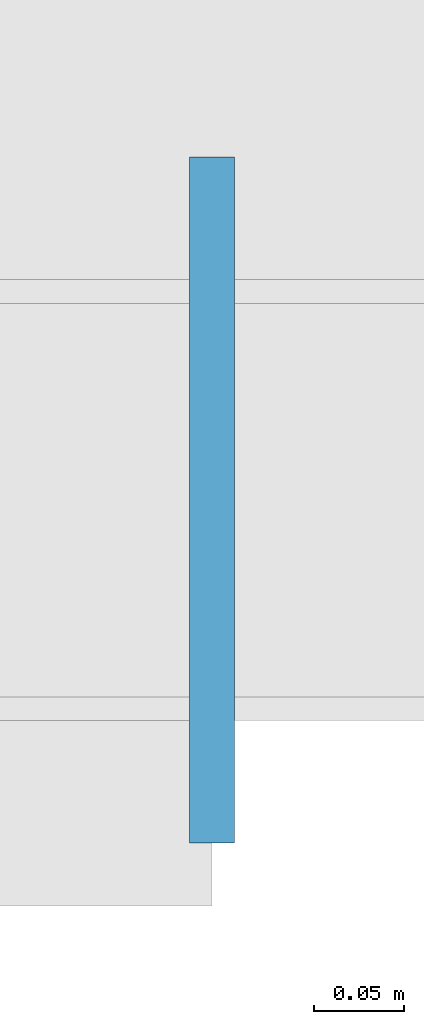
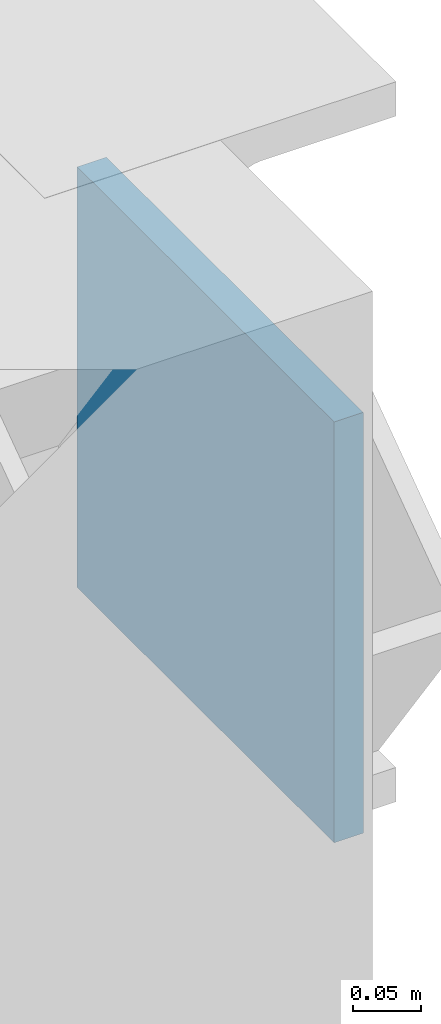
# One storey, part 62 of 80: 1 plate.
"""IFC4 building model written with IfcOpenShell, lengths in metres."""

from ifc_helpers import new_model, si_unit, direction, frame, origin, origin_2d, place, context, subcontext, project, spatial, rectangle, extrude, material, layer, layer_set, type_object, element, save


model = new_model("IFC4")

# Units and contexts
model_context = context("Model", 3, precision=1e-05, world=origin(), true_north=direction((0.0, 1.0)))
body_context = subcontext(model_context, "Body", "Model", "MODEL_VIEW")
ifc_project = project(units=[si_unit("LENGTHUNIT", "METRE"), si_unit("AREAUNIT", "SQUARE_METRE"), si_unit("VOLUMEUNIT", "CUBIC_METRE"), si_unit("PLANEANGLEUNIT", "RADIAN"), si_unit("MASSUNIT", "GRAM", prefix="KILO")], contexts=[model_context])

# Site, building, storey
site_placement = place(None, origin())
site = spatial("IfcSite", under=ifc_project, at=site_placement, CompositionType="ELEMENT")
building_placement = place(site_placement, origin())
building = spatial("IfcBuilding", under=site, at=building_placement, Name="Fikremerkos Civic Library", CompositionType="ELEMENT")
storey_placement = place(building_placement, frame((0.0, 0.0, 9.89990234375)))
storey = spatial("IfcBuildingStorey", under=building, at=storey_placement, Name="L02", CompositionType="ELEMENT", Elevation=9.89990234375)

# Plate
ifc_material = material(Name="Steel S355", Category="steel")
ifc_layer = layer(ifc_material, 0.02490234375, Name="Steel S355")
ifc_layer_set = layer_set([ifc_layer], Name="Steel S355")
plate_type = type_object("IfcPlateType", Name="Steel gusset cap plate GSP-02 380x380x25", PredefinedType="USERDEFINED", material=ifc_layer_set)
plate_placement = place(storey_placement, frame((113.699951171875, 2.39990234375, 3.645263671875), z_axis=(0.0, 0.0, 1.0), x_axis=(1.0, 0.0, 0.0)))
element("IfcPlate", 1, at=plate_placement, inside=storey, type_object=plate_type, Name="Steel gusset cap plate GSP-02 #40", ObjectType="GUSSET PLATE", PredefinedType="USERDEFINED", context=body_context, shape_type="SweptSolid", body=[
    extrude(rectangle(XDim=0.02490234375, YDim=0.3798828125, at=origin_2d()), origin(), (0.0, 0.0, 1.0), 0.3798828125),
])

save(model, "model.ifc")
